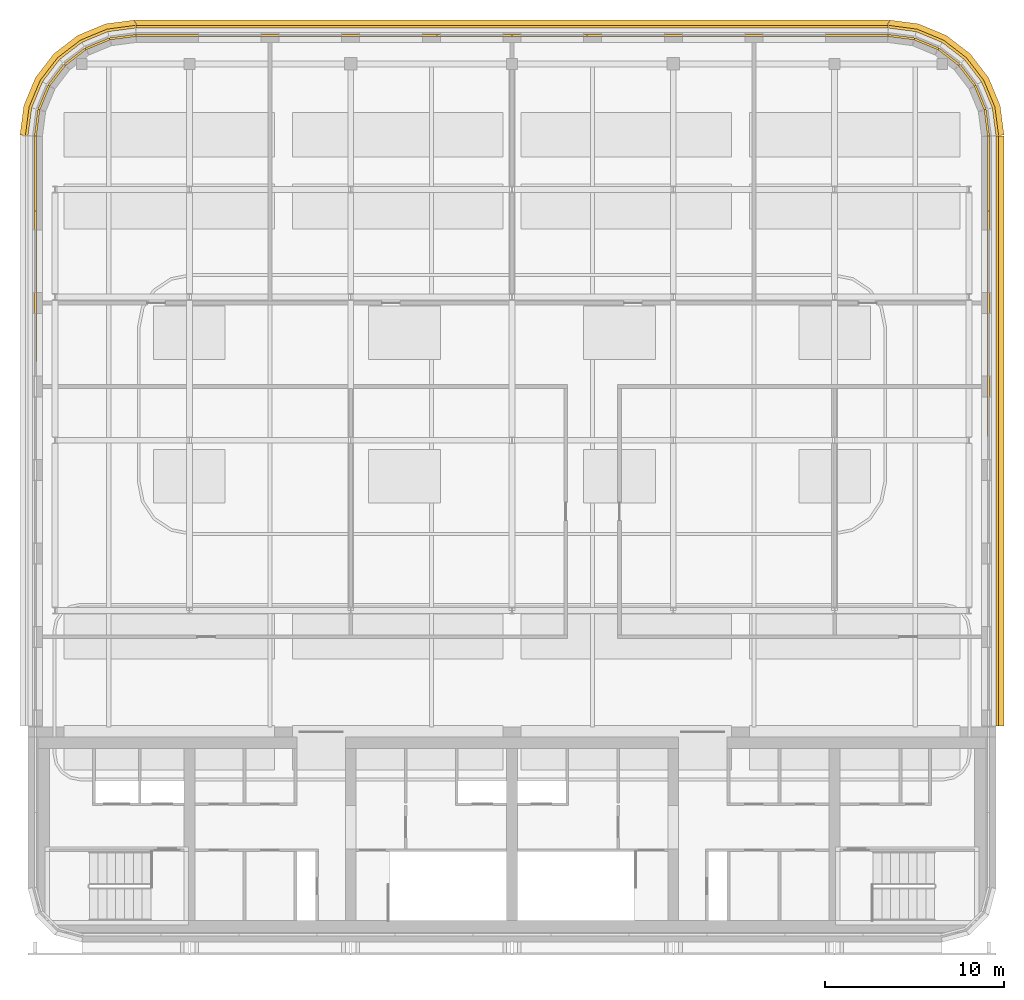
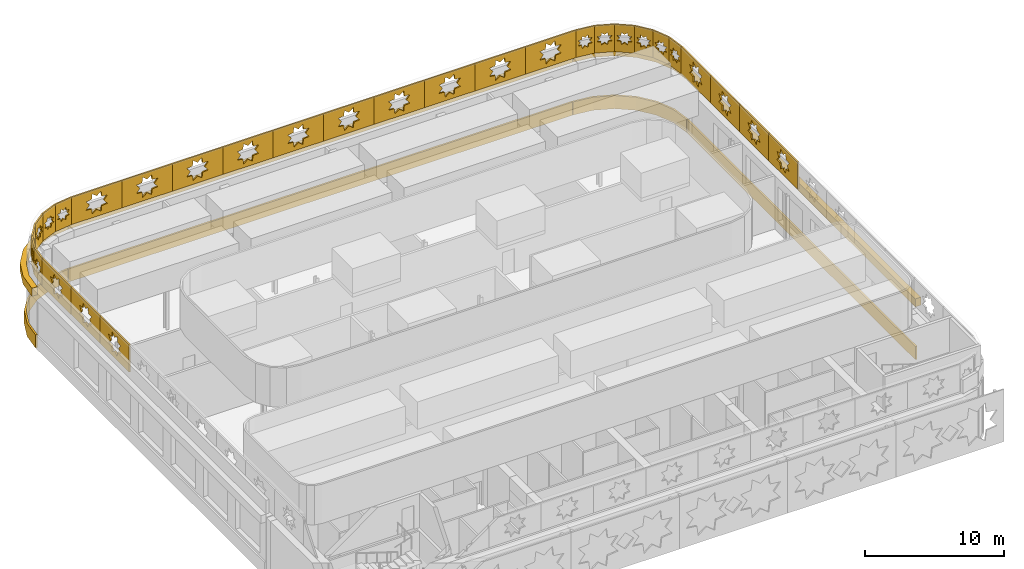
# One storey, part 13 of 14: 37 coverings.
"""IFC4 building model written with IfcOpenShell, lengths in metres."""

from ifc_helpers import new_model, si_unit, direction, frame, origin, place, context, subcontext, project, spatial, polyline, outline, extrude, material, layer, layer_set, type_object, element, save


model = new_model("IFC4")

# Units and contexts
model_context = context("Model", 3, precision=1e-05, world=origin(), true_north=direction((0.0, 1.0)))
body_context = subcontext(model_context, "Body", "Model", "MODEL_VIEW")
ifc_project = project(units=[si_unit("LENGTHUNIT", "METRE"), si_unit("AREAUNIT", "SQUARE_METRE"), si_unit("VOLUMEUNIT", "CUBIC_METRE"), si_unit("PLANEANGLEUNIT", "RADIAN"), si_unit("MASSUNIT", "GRAM", prefix="KILO")], contexts=[model_context])

# Site, building, storey
site_placement = place(None, origin())
site = spatial("IfcSite", under=ifc_project, at=site_placement, CompositionType="ELEMENT")
building_placement = place(site_placement, origin())
building = spatial("IfcBuilding", under=site, at=building_placement, Name="Zellij Exchange Tower", CompositionType="ELEMENT")
storey_placement = place(building_placement, frame((0.0, 0.0, 305.5)))
storey = spatial("IfcBuildingStorey", under=building, at=storey_placement, Name="L71", CompositionType="ELEMENT", Elevation=305.5)

# Coverings
ifc_material_1 = material(Name="Limestone cladding", Category="masonry")
ifc_layer_1 = layer(ifc_material_1, 0.14990234375)
ifc_layer_set_1 = layer_set([ifc_layer_1], Name="Limestone cladding")
covering_type_1 = type_object("IfcCoveringType", Name="ENV-CV1 Stone spandrel band 150", PredefinedType="CLADDING", material=ifc_layer_set_1)
covering_1_placement = place(storey_placement, frame((0.0, 0.0, -0.35009765625)))
element("IfcCovering", 1, at=covering_1_placement, inside=storey, type_object=covering_type_1, Name="Stone spandrel band", PredefinedType="CLADDING", context=body_context, shape_type="SweptSolid", body=[
    extrude(outline(polyline([(27.0, -1.949951171875), (27.0, 30.973876953125), (27.14990234375, 30.973876953125), (27.14990234375, -1.949951171875), (27.0, -1.949951171875)])), origin(), (0.0, 0.0, 1.0), 1.150146484375),
])
covering_2_placement = place(storey_placement, frame((0.0, 0.0, -0.35009765625)))
element("IfcCovering", 2, at=covering_2_placement, inside=storey, type_object=covering_type_1, Name="Stone spandrel band", PredefinedType="CLADDING", context=body_context, shape_type="SweptSolid", body=[
    extrude(outline(polyline([(20.973876953125, 37.0), (-20.973876953125, 37.0), (-20.983642578125, 37.14990234375), (20.983642578125, 37.14990234375), (20.973876953125, 37.0)])), origin(), (0.0, 0.0, 1.0), 1.150146484375),
])
covering_3_placement = place(storey_placement, frame((0.0, 0.0, -0.35009765625)))
element("IfcCovering", 3, at=covering_3_placement, inside=storey, type_object=covering_type_1, Name="Stone spandrel band", PredefinedType="CLADDING", context=body_context, shape_type="SweptSolid", body=[
    extrude(outline(polyline([(27.0, 31.0), (26.795654296875, 32.552978515625), (26.1962890625, 34.0), (25.24267578125, 35.24267578125), (24.0, 36.1962890625), (22.552978515625, 36.795654296875), (21.0, 37.0), (21.009765625, 37.14990234375), (22.592041015625, 36.941650390625), (24.07568359375, 36.3271484375), (25.349609375, 35.349609375), (26.3271484375, 34.07568359375), (26.941650390625, 32.592041015625), (27.14990234375, 31.009765625), (27.0, 31.0)])), origin(), (0.0, 0.0, 1.0), 1.150146484375),
])
covering_4_placement = place(storey_placement, frame((0.0, 0.0, -0.35009765625)))
element("IfcCovering", 4, at=covering_4_placement, inside=storey, type_object=covering_type_1, Name="Stone spandrel band", PredefinedType="CLADDING", context=body_context, shape_type="SweptSolid", body=[
    extrude(outline(polyline([(-21.0, 37.0), (-22.552978515625, 36.795654296875), (-24.0, 36.1962890625), (-25.24267578125, 35.24267578125), (-26.1962890625, 34.0), (-26.795654296875, 32.552978515625), (-27.0, 31.0), (-27.14990234375, 31.009765625), (-26.941650390625, 32.592041015625), (-26.3271484375, 34.07568359375), (-25.349609375, 35.349609375), (-24.07568359375, 36.3271484375), (-22.592041015625, 36.941650390625), (-21.009765625, 37.14990234375), (-21.0, 37.0)])), origin(), (0.0, 0.0, 1.0), 1.150146484375),
])
ifc_layer_2 = layer(ifc_material_1, 0.449951171875)
ifc_layer_set_2 = layer_set([ifc_layer_2], Name="Limestone cladding")
covering_type_2 = type_object("IfcCoveringType", Name="ENV-CV11 Stone cornice 450", PredefinedType="CLADDING", material=ifc_layer_set_2)
covering_5_placement = place(storey_placement, frame((0.0, 0.0, 4.300048828125)))
element("IfcCovering", 5, at=covering_5_placement, inside=storey, type_object=covering_type_2, Name="Stone cornice", PredefinedType="CLADDING", context=body_context, shape_type="SweptSolid", body=[
    extrude(outline(polyline([(27.0, -1.949951171875), (27.0, 30.973876953125), (27.449951171875, 30.973876953125), (27.449951171875, -1.949951171875), (27.0, -1.949951171875)])), origin(), (0.0, 0.0, 1.0), 0.699951171875),
])
covering_6_placement = place(storey_placement, frame((0.0, 0.0, 4.300048828125)))
element("IfcCovering", 6, at=covering_6_placement, inside=storey, type_object=covering_type_2, Name="Stone cornice", PredefinedType="CLADDING", context=body_context, shape_type="SweptSolid", body=[
    extrude(outline(polyline([(20.973876953125, 37.0), (-20.973876953125, 37.0), (-21.00341796875, 37.449951171875), (21.00341796875, 37.449951171875), (20.973876953125, 37.0)])), origin(), (0.0, 0.0, 1.0), 0.699951171875),
])
covering_7_placement = place(storey_placement, frame((0.0, 0.0, 4.300048828125)))
element("IfcCovering", 7, at=covering_7_placement, inside=storey, type_object=covering_type_2, Name="Stone cornice", PredefinedType="CLADDING", context=body_context, shape_type="SweptSolid", body=[
    extrude(outline(polyline([(27.0, 31.0), (26.795654296875, 32.552978515625), (26.1962890625, 34.0), (25.24267578125, 35.24267578125), (24.0, 36.1962890625), (22.552978515625, 36.795654296875), (21.0, 37.0), (21.029541015625, 37.449951171875), (22.67041015625, 37.23388671875), (24.22705078125, 36.58935546875), (25.5634765625, 35.5634765625), (26.58935546875, 34.22705078125), (27.23388671875, 32.67041015625), (27.449951171875, 31.029541015625), (27.0, 31.0)])), origin(), (0.0, 0.0, 1.0), 0.699951171875),
])
covering_8_placement = place(storey_placement, frame((0.0, 0.0, 4.300048828125)))
element("IfcCovering", 8, at=covering_8_placement, inside=storey, type_object=covering_type_2, Name="Stone cornice", PredefinedType="CLADDING", context=body_context, shape_type="SweptSolid", body=[
    extrude(outline(polyline([(-21.0, 37.0), (-22.552978515625, 36.795654296875), (-24.0, 36.1962890625), (-25.24267578125, 35.24267578125), (-26.1962890625, 34.0), (-26.795654296875, 32.552978515625), (-27.0, 31.0), (-27.449951171875, 31.029541015625), (-27.23388671875, 32.67041015625), (-26.58935546875, 34.22705078125), (-25.5634765625, 35.5634765625), (-24.22705078125, 36.58935546875), (-22.67041015625, 37.23388671875), (-21.029541015625, 37.449951171875), (-21.0, 37.0)])), origin(), (0.0, 0.0, 1.0), 0.699951171875),
])
ifc_material_2 = material(Name="Limestone screen", Category="masonry")
ifc_layer_3 = layer(ifc_material_2, 0.1201171875)
ifc_layer_set_3 = layer_set([ifc_layer_3], Name="Limestone screen")
covering_type_3 = type_object("IfcCoveringType", Name="ENV-SC1 Pierced stone screen 120", PredefinedType="USERDEFINED", material=ifc_layer_set_3)
for number, where, z_axis, x_axis, name in (
    (9, (-26.590087890625, 18.3974609375, 5.0), (0.0, 0.0, 1.0), (0.0, 1.0, 0.0), "Pierced stone screen"),
    (10, (-26.590087890625, 22.58935546875, 5.0), (0.0, 0.0, 1.0), (0.0, 1.0, 0.0), "Pierced stone screen"),
    (11, (-26.590087890625, 26.78125, 5.0), (0.0, 0.0, 1.0), (0.0, 1.0, 0.0), "Pierced stone screen"),
):
    element("IfcCovering", number, at=place(storey_placement, frame(where, z_axis=z_axis, x_axis=x_axis)), inside=storey, type_object=covering_type_3, Name=name, ObjectType="SCREEN", PredefinedType="USERDEFINED", context=body_context, shape_type="SweptSolid", body=[
        extrude(outline(polyline([(0.0, 0.0), (4.19189453125, 0.0), (4.19189453125, 2.39990234375), (0.0, 2.39990234375), (0.0, 0.0)]), holes=[polyline([(2.98291015625, 1.5673828125), (2.516845703125, 1.620849609375), (2.46337890625, 2.0869140625), (2.095947265625, 1.795166015625), (1.728515625, 2.0869140625), (1.675048828125, 1.620849609375), (1.208984375, 1.5673828125), (1.500732421875, 1.199951171875), (1.208984375, 0.83251953125), (1.675048828125, 0.779052734375), (1.728515625, 0.31298828125), (2.095947265625, 0.604736328125), (2.46337890625, 0.31298828125), (2.516845703125, 0.779052734375), (2.98291015625, 0.83251953125), (2.691162109375, 1.199951171875), (2.98291015625, 1.5673828125)])]), frame((0.0, 0.06005859375, 0.0), z_axis=(0.0, -1.0, 0.0), x_axis=(1.0, 0.0, 0.0)), (0.0, 0.0, 1.0), 0.1201171875),
    ])
covering_9_placement = place(storey_placement, frame((-26.590087890625, 30.97314453125, 5.0), z_axis=(0.0, 0.0, 1.0), x_axis=(0.130667093736, 0.991426301151, 0.0)))
element("IfcCovering", 12, at=covering_9_placement, inside=storey, type_object=covering_type_3, Name="Pierced stone screen", ObjectType="SCREEN", PredefinedType="USERDEFINED", context=body_context, shape_type="SweptSolid", body=[
    extrude(outline(polyline([(0.0, 0.0), (1.485595703125, 0.0), (1.485595703125, 2.39990234375), (0.0, 2.39990234375), (0.0, 0.0)]), holes=[polyline([(1.291748046875, 1.427490234375), (1.003173828125, 1.46044921875), (0.97021484375, 1.7490234375), (0.74267578125, 1.568359375), (0.515380859375, 1.7490234375), (0.482177734375, 1.46044921875), (0.19384765625, 1.427490234375), (0.374267578125, 1.199951171875), (0.19384765625, 0.97265625), (0.482177734375, 0.939453125), (0.515380859375, 0.65087890625), (0.74267578125, 0.83154296875), (0.97021484375, 0.65087890625), (1.003173828125, 0.939453125), (1.291748046875, 0.97265625), (1.111083984375, 1.199951171875), (1.291748046875, 1.427490234375)])]), frame((0.0, 0.06005859375, 0.0), z_axis=(0.0, -1.0, 0.0), x_axis=(1.0, 0.0, 0.0)), (0.0, 0.0, 1.0), 0.1201171875),
])
for number, where, z_axis, x_axis, name in (
    (13, (-26.39599609375, 32.44580078125, 5.0), (0.0, 0.0, 1.0), (0.382677052432, 0.92388217514, 0.0), "Pierced stone screen"),
    (14, (-25.837890625, 33.793212890625, 5.0), (0.0, 0.0, 1.0), (0.608723220475, 0.793382657269, 0.0), "Pierced stone screen"),
    (15, (-24.9501953125, 34.9501953125, 5.0), (0.0, 0.0, 1.0), (0.793382657269, 0.608723220475, 0.0), "Pierced stone screen"),
    (16, (-23.793212890625, 35.837890625, 5.0), (0.0, 0.0, 1.0), (0.92388217514, 0.382677052432, 0.0), "Pierced stone screen"),
):
    element("IfcCovering", number, at=place(storey_placement, frame(where, z_axis=z_axis, x_axis=x_axis)), inside=storey, type_object=covering_type_3, Name=name, ObjectType="SCREEN", PredefinedType="USERDEFINED", context=body_context, shape_type="SweptSolid", body=[
        extrude(outline(polyline([(0.0, 0.0), (1.45849609375, 0.0), (1.45849609375, 2.39990234375), (0.0, 2.39990234375), (0.0, 0.0)]), holes=[polyline([(1.26806640625, 1.423095703125), (0.98486328125, 1.455810546875), (0.952392578125, 1.739013671875), (0.729248046875, 1.561767578125), (0.505859375, 1.739013671875), (0.473388671875, 1.455810546875), (0.190185546875, 1.423095703125), (0.367431640625, 1.199951171875), (0.190185546875, 0.976806640625), (0.473388671875, 0.9443359375), (0.505859375, 0.6611328125), (0.729248046875, 0.83837890625), (0.952392578125, 0.6611328125), (0.98486328125, 0.9443359375), (1.26806640625, 0.976806640625), (1.0908203125, 1.199951171875), (1.26806640625, 1.423095703125)])]), frame((0.0, 0.06005859375, 0.0), z_axis=(0.0, -1.0, 0.0), x_axis=(1.0, 0.0, 0.0)), (0.0, 0.0, 1.0), 0.1201171875),
    ])
covering_10_placement = place(storey_placement, frame((-22.44580078125, 36.39599609375, 5.0), z_axis=(0.0, 0.0, 1.0), x_axis=(0.991426301151, 0.130667093736, 0.0)))
element("IfcCovering", 17, at=covering_10_placement, inside=storey, type_object=covering_type_3, Name="Pierced stone screen", ObjectType="SCREEN", PredefinedType="USERDEFINED", context=body_context, shape_type="SweptSolid", body=[
    extrude(outline(polyline([(0.0, 0.0), (1.485595703125, 0.0), (1.485595703125, 2.39990234375), (0.0, 2.39990234375), (0.0, 0.0)]), holes=[polyline([(1.291748046875, 1.427490234375), (1.003173828125, 1.46044921875), (0.97021484375, 1.7490234375), (0.74267578125, 1.568359375), (0.515380859375, 1.7490234375), (0.482177734375, 1.46044921875), (0.19384765625, 1.427490234375), (0.374267578125, 1.199951171875), (0.19384765625, 0.97265625), (0.482177734375, 0.939453125), (0.515380859375, 0.65087890625), (0.74267578125, 0.83154296875), (0.97021484375, 0.65087890625), (1.003173828125, 0.939453125), (1.291748046875, 0.97265625), (1.111083984375, 1.199951171875), (1.291748046875, 1.427490234375)])]), frame((0.0, 0.06005859375, 0.0), z_axis=(0.0, -1.0, 0.0), x_axis=(1.0, 0.0, 0.0)), (0.0, 0.0, 1.0), 0.1201171875),
])
for number, where, z_axis, x_axis, name in (
    (18, (-20.97314453125, 36.590087890625, 5.0), (0.0, 0.0, 1.0), (1.0, 0.0, 0.0), "Pierced stone screen"),
    (19, (-16.778564453125, 36.590087890625, 5.0), (0.0, 0.0, 1.0), (1.0, 0.0, 0.0), "Pierced stone screen"),
    (20, (-12.583984375, 36.590087890625, 5.0), (0.0, 0.0, 1.0), (1.0, 0.0, 0.0), "Pierced stone screen"),
    (21, (-8.389404296875, 36.590087890625, 5.0), (0.0, 0.0, 1.0), (1.0, 0.0, 0.0), "Pierced stone screen"),
    (22, (-4.194580078125, 36.590087890625, 5.0), (0.0, 0.0, 1.0), (1.0, 0.0, 0.0), "Pierced stone screen"),
    (23, (0.0, 36.590087890625, 5.0), (0.0, 0.0, 1.0), (1.0, 0.0, 0.0), "Pierced stone screen"),
    (24, (4.194580078125, 36.590087890625, 5.0), (0.0, 0.0, 1.0), (1.0, 0.0, 0.0), "Pierced stone screen"),
    (25, (8.389404296875, 36.590087890625, 5.0), (0.0, 0.0, 1.0), (1.0, 0.0, 0.0), "Pierced stone screen"),
    (26, (12.583984375, 36.590087890625, 5.0), (0.0, 0.0, 1.0), (1.0, 0.0, 0.0), "Pierced stone screen"),
    (27, (16.778564453125, 36.590087890625, 5.0), (0.0, 0.0, 1.0), (1.0, 0.0, 0.0), "Pierced stone screen"),
):
    element("IfcCovering", number, at=place(storey_placement, frame(where, z_axis=z_axis, x_axis=x_axis)), inside=storey, type_object=covering_type_3, Name=name, ObjectType="SCREEN", PredefinedType="USERDEFINED", context=body_context, shape_type="SweptSolid", body=[
        extrude(outline(polyline([(0.0, 0.0), (4.194580078125, 0.0), (4.194580078125, 2.39990234375), (0.0, 2.39990234375), (0.0, 0.0)]), holes=[polyline([(2.984130859375, 1.5673828125), (2.518310546875, 1.620849609375), (2.464599609375, 2.0869140625), (2.097412109375, 1.795166015625), (1.72998046875, 2.0869140625), (1.676513671875, 1.620849609375), (1.21044921875, 1.5673828125), (1.502197265625, 1.199951171875), (1.21044921875, 0.83251953125), (1.676513671875, 0.779052734375), (1.72998046875, 0.31298828125), (2.097412109375, 0.604736328125), (2.464599609375, 0.31298828125), (2.518310546875, 0.779052734375), (2.984130859375, 0.83251953125), (2.6923828125, 1.199951171875), (2.984130859375, 1.5673828125)])]), frame((0.0, 0.06005859375, 0.0), z_axis=(0.0, -1.0, 0.0), x_axis=(1.0, 0.0, 0.0)), (0.0, 0.0, 1.0), 0.1201171875),
    ])
covering_11_placement = place(storey_placement, frame((20.97314453125, 36.590087890625, 5.0), z_axis=(0.0, 0.0, 1.0), x_axis=(0.991426301151, -0.130667093736, 0.0)))
element("IfcCovering", 28, at=covering_11_placement, inside=storey, type_object=covering_type_3, Name="Pierced stone screen", ObjectType="SCREEN", PredefinedType="USERDEFINED", context=body_context, shape_type="SweptSolid", body=[
    extrude(outline(polyline([(0.0, 0.0), (1.485595703125, 0.0), (1.485595703125, 2.39990234375), (0.0, 2.39990234375), (0.0, 0.0)]), holes=[polyline([(1.291748046875, 1.427490234375), (1.003173828125, 1.46044921875), (0.97021484375, 1.7490234375), (0.74267578125, 1.568359375), (0.515380859375, 1.7490234375), (0.482177734375, 1.46044921875), (0.19384765625, 1.427490234375), (0.374267578125, 1.199951171875), (0.19384765625, 0.97265625), (0.482177734375, 0.939453125), (0.515380859375, 0.65087890625), (0.74267578125, 0.83154296875), (0.97021484375, 0.65087890625), (1.003173828125, 0.939453125), (1.291748046875, 0.97265625), (1.111083984375, 1.199951171875), (1.291748046875, 1.427490234375)])]), frame((0.0, 0.06005859375, 0.0), z_axis=(0.0, -1.0, 0.0), x_axis=(1.0, 0.0, 0.0)), (0.0, 0.0, 1.0), 0.1201171875),
])
for number, where, z_axis, x_axis, name in (
    (29, (22.44580078125, 36.39599609375, 5.0), (0.0, 0.0, 1.0), (0.92388217514, -0.382677052432, 0.0), "Pierced stone screen"),
    (30, (23.793212890625, 35.837890625, 5.0), (0.0, 0.0, 1.0), (0.793382657269, -0.608723220475, 0.0), "Pierced stone screen"),
    (31, (24.9501953125, 34.9501953125, 5.0), (0.0, 0.0, 1.0), (0.608723220475, -0.793382657269, 0.0), "Pierced stone screen"),
    (32, (25.837890625, 33.793212890625, 5.0), (0.0, 0.0, 1.0), (0.382677052432, -0.92388217514, 0.0), "Pierced stone screen"),
):
    element("IfcCovering", number, at=place(storey_placement, frame(where, z_axis=z_axis, x_axis=x_axis)), inside=storey, type_object=covering_type_3, Name=name, ObjectType="SCREEN", PredefinedType="USERDEFINED", context=body_context, shape_type="SweptSolid", body=[
        extrude(outline(polyline([(0.0, 0.0), (1.45849609375, 0.0), (1.45849609375, 2.39990234375), (0.0, 2.39990234375), (0.0, 0.0)]), holes=[polyline([(1.26806640625, 1.423095703125), (0.98486328125, 1.455810546875), (0.952392578125, 1.739013671875), (0.729248046875, 1.561767578125), (0.505859375, 1.739013671875), (0.473388671875, 1.455810546875), (0.190185546875, 1.423095703125), (0.367431640625, 1.199951171875), (0.190185546875, 0.976806640625), (0.473388671875, 0.9443359375), (0.505859375, 0.6611328125), (0.729248046875, 0.83837890625), (0.952392578125, 0.6611328125), (0.98486328125, 0.9443359375), (1.26806640625, 0.976806640625), (1.0908203125, 1.199951171875), (1.26806640625, 1.423095703125)])]), frame((0.0, 0.06005859375, 0.0), z_axis=(0.0, -1.0, 0.0), x_axis=(1.0, 0.0, 0.0)), (0.0, 0.0, 1.0), 0.1201171875),
    ])
covering_12_placement = place(storey_placement, frame((26.39599609375, 32.44580078125, 5.0), z_axis=(0.0, 0.0, 1.0), x_axis=(0.130667093736, -0.991426301151, 0.0)))
element("IfcCovering", 33, at=covering_12_placement, inside=storey, type_object=covering_type_3, Name="Pierced stone screen", ObjectType="SCREEN", PredefinedType="USERDEFINED", context=body_context, shape_type="SweptSolid", body=[
    extrude(outline(polyline([(0.0, 0.0), (1.485595703125, 0.0), (1.485595703125, 2.39990234375), (0.0, 2.39990234375), (0.0, 0.0)]), holes=[polyline([(1.291748046875, 1.427490234375), (1.003173828125, 1.46044921875), (0.97021484375, 1.7490234375), (0.74267578125, 1.568359375), (0.515380859375, 1.7490234375), (0.482177734375, 1.46044921875), (0.19384765625, 1.427490234375), (0.374267578125, 1.199951171875), (0.19384765625, 0.97265625), (0.482177734375, 0.939453125), (0.515380859375, 0.65087890625), (0.74267578125, 0.83154296875), (0.97021484375, 0.65087890625), (1.003173828125, 0.939453125), (1.291748046875, 0.97265625), (1.111083984375, 1.199951171875), (1.291748046875, 1.427490234375)])]), frame((0.0, 0.06005859375, 0.0), z_axis=(0.0, -1.0, 0.0), x_axis=(1.0, 0.0, 0.0)), (0.0, 0.0, 1.0), 0.1201171875),
])
for number, where, z_axis, x_axis, name in (
    (34, (26.590087890625, 30.97314453125, 5.0), (0.0, 0.0, 1.0), (0.0, -1.0, 0.0), "Pierced stone screen"),
    (35, (26.590087890625, 26.78125, 5.0), (0.0, 0.0, 1.0), (0.0, -1.0, 0.0), "Pierced stone screen"),
    (36, (26.590087890625, 22.58935546875, 5.0), (0.0, 0.0, 1.0), (0.0, -1.0, 0.0), "Pierced stone screen"),
    (37, (26.590087890625, 18.3974609375, 5.0), (0.0, 0.0, 1.0), (0.0, -1.0, 0.0), "Pierced stone screen"),
):
    element("IfcCovering", number, at=place(storey_placement, frame(where, z_axis=z_axis, x_axis=x_axis)), inside=storey, type_object=covering_type_3, Name=name, ObjectType="SCREEN", PredefinedType="USERDEFINED", context=body_context, shape_type="SweptSolid", body=[
        extrude(outline(polyline([(0.0, 0.0), (4.19189453125, 0.0), (4.19189453125, 2.39990234375), (0.0, 2.39990234375), (0.0, 0.0)]), holes=[polyline([(2.98291015625, 1.5673828125), (2.516845703125, 1.620849609375), (2.46337890625, 2.0869140625), (2.095947265625, 1.795166015625), (1.728515625, 2.0869140625), (1.675048828125, 1.620849609375), (1.208984375, 1.5673828125), (1.500732421875, 1.199951171875), (1.208984375, 0.83251953125), (1.675048828125, 0.779052734375), (1.728515625, 0.31298828125), (2.095947265625, 0.604736328125), (2.46337890625, 0.31298828125), (2.516845703125, 0.779052734375), (2.98291015625, 0.83251953125), (2.691162109375, 1.199951171875), (2.98291015625, 1.5673828125)])]), frame((0.0, 0.06005859375, 0.0), z_axis=(0.0, -1.0, 0.0), x_axis=(1.0, 0.0, 0.0)), (0.0, 0.0, 1.0), 0.1201171875),
    ])

save(model, "model.ifc")
